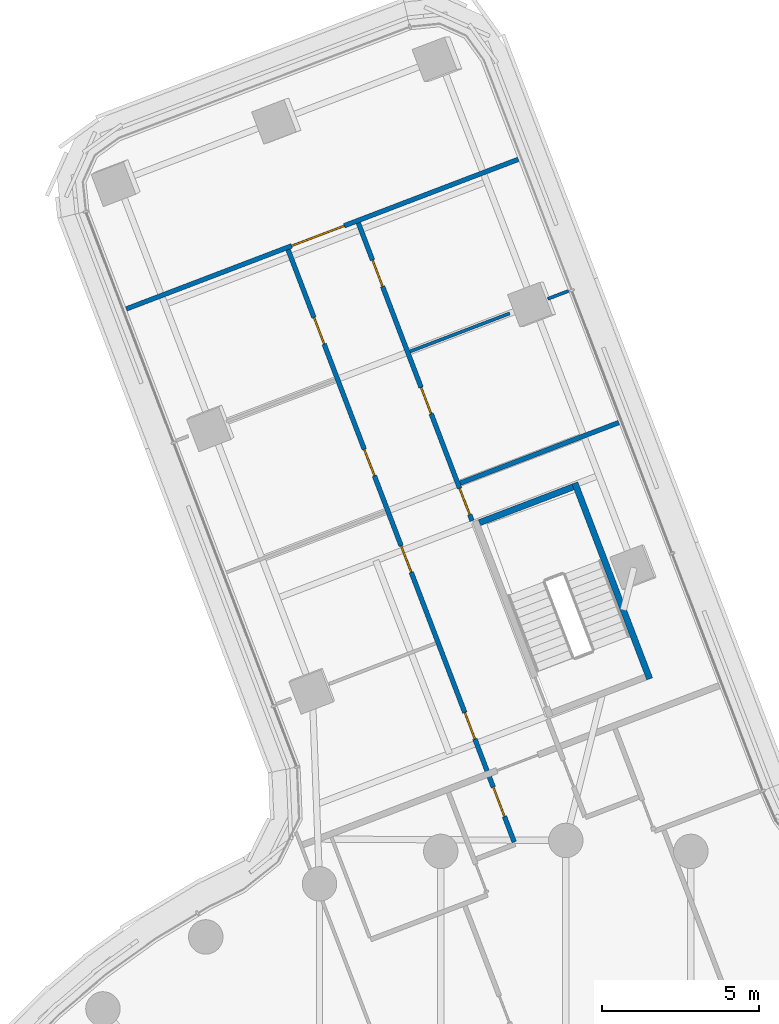
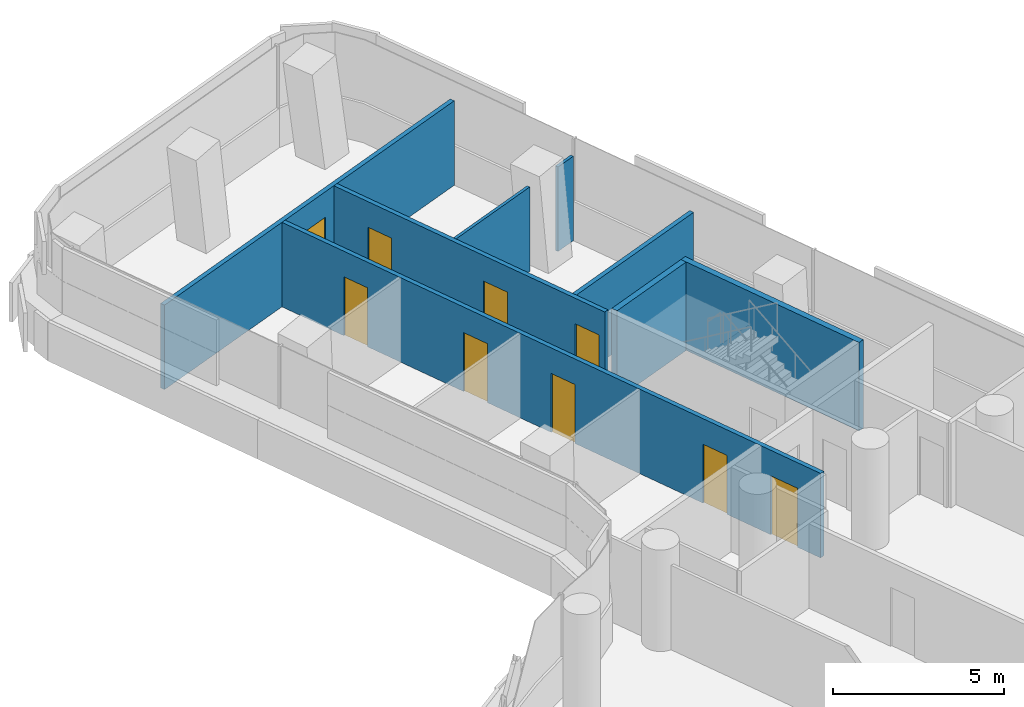
# One storey, part 24 of 32: 9 doors, 8 walls, 9 openings.
"""IFC4 building model written with IfcOpenShell, lengths in metres."""

from ifc_helpers import new_model, si_unit, direction, frame, frame_2d, origin, place, context, subcontext, project, spatial, polyline, rectangle, outline, extrude, material, layer, layer_set, type_object, element, fill, save


model = new_model("IFC4")

# Units and contexts
model_context = context("Model", 3, precision=1e-05, world=origin(), true_north=direction((0.0, 1.0)))
body_context = subcontext(model_context, "Body", "Model", "MODEL_VIEW")
ifc_project = project(units=[si_unit("LENGTHUNIT", "METRE"), si_unit("AREAUNIT", "SQUARE_METRE"), si_unit("VOLUMEUNIT", "CUBIC_METRE"), si_unit("PLANEANGLEUNIT", "RADIAN"), si_unit("MASSUNIT", "GRAM", prefix="KILO")], contexts=[model_context])

# Site, building, storey
site_placement = place(None, origin())
site = spatial("IfcSite", under=ifc_project, at=site_placement, CompositionType="ELEMENT")
building_placement = place(site_placement, origin())
building = spatial("IfcBuilding", under=site, at=building_placement, Name="Tamarind Cross Interchange Tower", CompositionType="ELEMENT")
storey_placement = place(building_placement, frame((0.0, 0.0, 109.75)))
storey = spatial("IfcBuildingStorey", under=building, at=storey_placement, Name="L26", CompositionType="ELEMENT", Elevation=109.75)

# Walls
ifc_material_1 = material(Name="Gypsum board partition on steel studs", Category="steel")
ifc_layer_1 = layer(ifc_material_1, 0.10009765625)
ifc_layer_set_1 = layer_set([ifc_layer_1], Name="Gypsum board partition on steel studs")
wall_type_1 = type_object("IfcWallType", Name="Partition 100 mm EI 90", PredefinedType="PARTITIONING", material=ifc_layer_set_1)
wall_1_placement = place(storey_placement, frame((-4.97900390625, 38.616943359375, 0.0), z_axis=(0.0, 0.0, 1.0), x_axis=(0.934230094986, 0.356670898201, 0.0)))
element("IfcWall", 1, at=wall_1_placement, inside=storey, type_object=wall_type_1, Name="Partition L26-050", PredefinedType="PARTITIONING", context=body_context, shape_type="SweptSolid", body=[
    extrude(rectangle(XDim=3.410888671875, YDim=0.10009765625, at=frame_2d((1.70556640625, 0.0))), origin(), (0.0, 0.0, 1.0), 3.010009765625),
])
wall_2_placement = place(storey_placement, frame((-0.576904296875, 40.297607421875, 0.0), z_axis=(0.0, 0.0, 1.0), x_axis=(0.93429736049, 0.356494659401, 0.0)))
element("IfcWall", 2, at=wall_2_placement, inside=storey, type_object=wall_type_1, Name="Partition L26-051", PredefinedType="PARTITIONING", context=body_context, shape_type="SweptSolid", body=[
    extrude(rectangle(XDim=0.71142578125, YDim=0.10009765625, at=frame_2d((0.355712890625, 0.0))), origin(), (0.0, 0.0, 1.0), 3.010009765625),
])

# Wall, openings, doors
ifc_layer_2 = layer(ifc_material_1, 0.14990234375)
ifc_layer_set_2 = layer_set([ifc_layer_2], Name="Gypsum board partition on steel studs")
wall_type_2 = type_object("IfcWallType", Name="Partition 150 mm EI 120", PredefinedType="PARTITIONING", material=ifc_layer_set_2)
wall_3_placement = place(storey_placement, frame((-8.8701171875, 41.867919921875, 0.0), z_axis=(0.0, 0.0, 1.0), x_axis=(0.356662537026, -0.934233287077, 0.0)))
wall_3 = element("IfcWall", 3, at=wall_3_placement, inside=storey, type_object=wall_type_2, Name="Partition L26-008", PredefinedType="PARTITIONING", context=body_context, shape_type="SweptSolid", body=[
    extrude(rectangle(XDim=20.25, YDim=0.14990234375, at=frame_2d((10.125, 0.0))), origin(), (0.0, 0.0, 1.0), 3.010009765625),
])
opening_1_placement = place(wall_3_placement, frame((18.375244140625, 0.0, 0.0)))
opening_1 = element("IfcOpeningElement", 4, at=opening_1_placement, cuts=wall_3, Name="Opening D03", PredefinedType="OPENING", context=body_context, shape_type="SweptSolid", body=[
    extrude(rectangle(XDim=1.0, YDim=2.10009765625, at=frame_2d((0.5, 1.050048828125))), frame((0.0, 0.0849609375, 0.0), z_axis=(0.0, -1.0, 0.0), x_axis=(1.0, 0.0, 0.0)), (0.0, 0.0, 1.0), 0.169921875),
])
opening_2_placement = place(wall_3_placement, frame((15.8251953125, 0.0, 0.0)))
opening_2 = element("IfcOpeningElement", 5, at=opening_2_placement, cuts=wall_3, Name="Opening D04", PredefinedType="OPENING", context=body_context, shape_type="SweptSolid", body=[
    extrude(rectangle(XDim=0.89990234375, YDim=2.10009765625, at=frame_2d((0.449951171875, 1.050048828125))), frame((0.0, 0.0849609375, 0.0), z_axis=(0.0, -1.0, 0.0), x_axis=(1.0, 0.0, 0.0)), (0.0, 0.0, 1.0), 0.169921875),
])
opening_3_placement = place(wall_3_placement, frame((10.125244140625, 0.0, 0.0)))
opening_3 = element("IfcOpeningElement", 6, at=opening_3_placement, cuts=wall_3, Name="Opening D05", PredefinedType="OPENING", context=body_context, shape_type="SweptSolid", body=[
    extrude(rectangle(XDim=0.89990234375, YDim=2.10009765625, at=frame_2d((0.449951171875, 1.050048828125))), frame((0.0, 0.0849609375, 0.0), z_axis=(0.0, -1.0, 0.0), x_axis=(1.0, 0.0, 0.0)), (0.0, 0.0, 1.0), 0.169921875),
])
opening_4_placement = place(wall_3_placement, frame((6.824951171875, 0.0, 0.0)))
opening_4 = element("IfcOpeningElement", 7, at=opening_4_placement, cuts=wall_3, Name="Opening D06", PredefinedType="OPENING", context=body_context, shape_type="SweptSolid", body=[
    extrude(rectangle(XDim=0.89990234375, YDim=2.10009765625, at=frame_2d((0.449951171875, 1.050048828125))), frame((0.0, 0.0849609375, 0.0), z_axis=(0.0, -1.0, 0.0), x_axis=(1.0, 0.0, 0.0)), (0.0, 0.0, 1.0), 0.169921875),
])
opening_5_placement = place(wall_3_placement, frame((2.324951171875, 0.0, 0.0)))
opening_5 = element("IfcOpeningElement", 8, at=opening_5_placement, cuts=wall_3, Name="Opening D07", PredefinedType="OPENING", context=body_context, shape_type="SweptSolid", body=[
    extrude(rectangle(XDim=0.89990234375, YDim=2.10009765625, at=frame_2d((0.449951171875, 1.050048828125))), frame((0.0, 0.0849609375, 0.0), z_axis=(0.0, -1.0, 0.0), x_axis=(1.0, 0.0, 0.0)), (0.0, 0.0, 1.0), 0.169921875),
])
ifc_material_2 = material(Name="Fire-resisting door set")
door_type_1 = type_object("IfcDoorType", Name="Interior door 1000 x 2100 FD60S", OperationType="SINGLE_SWING_LEFT", PredefinedType="DOOR", material=ifc_material_2)
door_1_placement = place(opening_1_placement, frame((1.0, 0.0, 0.0), z_axis=(0.0, 0.0, 1.0), x_axis=(-1.0, 0.0, 0.0)))
door_1 = element("IfcDoor", 9, at=door_1_placement, inside=storey, type_object=door_type_1, Name="Door D03", OperationType="SINGLE_SWING_RIGHT", OverallHeight=2.10009765625, OverallWidth=1.0, PredefinedType="DOOR", context=body_context, shape_type="SweptSolid", body=[
    extrude(rectangle(XDim=1.0, YDim=2.10009765625, at=frame_2d((0.5, 1.050048828125))), frame((0.0, 0.02490234375, 0.0), z_axis=(0.0, -1.0, 0.0), x_axis=(1.0, 0.0, 0.0)), (0.0, 0.0, 1.0), 0.050048828125),
])
fill(opening_1, door_1)
door_type_2 = type_object("IfcDoorType", Name="Interior door 900 x 2100 FD60S", OperationType="SINGLE_SWING_LEFT", PredefinedType="DOOR", material=ifc_material_2)
door_2_placement = place(opening_2_placement, frame((0.89990234375, 0.0, 0.0), z_axis=(0.0, 0.0, 1.0), x_axis=(-1.0, 0.0, 0.0)))
door_2 = element("IfcDoor", 10, at=door_2_placement, inside=storey, type_object=door_type_2, Name="Door D04", OperationType="SINGLE_SWING_RIGHT", OverallHeight=2.10009765625, OverallWidth=0.89990234375, PredefinedType="DOOR", context=body_context, shape_type="SweptSolid", body=[
    extrude(rectangle(XDim=0.89990234375, YDim=2.10009765625, at=frame_2d((0.449951171875, 1.050048828125))), frame((0.0, 0.02490234375, 0.0), z_axis=(0.0, -1.0, 0.0), x_axis=(1.0, 0.0, 0.0)), (0.0, 0.0, 1.0), 0.050048828125),
])
fill(opening_2, door_2)
door_3_placement = place(opening_3_placement, frame((0.89990234375, 0.0, 0.0), z_axis=(0.0, 0.0, 1.0), x_axis=(-1.0, 0.0, 0.0)))
door_3 = element("IfcDoor", 11, at=door_3_placement, inside=storey, type_object=door_type_2, Name="Door D05", OperationType="SINGLE_SWING_RIGHT", OverallHeight=2.10009765625, OverallWidth=0.89990234375, PredefinedType="DOOR", context=body_context, shape_type="SweptSolid", body=[
    extrude(rectangle(XDim=0.89990234375, YDim=2.10009765625, at=frame_2d((0.449951171875, 1.050048828125))), frame((0.0, 0.02490234375, 0.0), z_axis=(0.0, -1.0, 0.0), x_axis=(1.0, 0.0, 0.0)), (0.0, 0.0, 1.0), 0.050048828125),
])
fill(opening_3, door_3)
door_4_placement = place(opening_4_placement, frame((0.89990234375, 0.0, 0.0), z_axis=(0.0, 0.0, 1.0), x_axis=(-1.0, 0.0, 0.0)))
door_4 = element("IfcDoor", 12, at=door_4_placement, inside=storey, type_object=door_type_2, Name="Door D06", OperationType="SINGLE_SWING_LEFT", OverallHeight=2.10009765625, OverallWidth=0.89990234375, PredefinedType="DOOR", context=body_context, shape_type="SweptSolid", body=[
    extrude(rectangle(XDim=0.89990234375, YDim=2.10009765625, at=frame_2d((0.449951171875, 1.050048828125))), frame((0.0, 0.02490234375, 0.0), z_axis=(0.0, -1.0, 0.0), x_axis=(1.0, 0.0, 0.0)), (0.0, 0.0, 1.0), 0.050048828125),
])
fill(opening_4, door_4)
door_5_placement = place(opening_5_placement, frame((0.89990234375, 0.0, 0.0), z_axis=(0.0, 0.0, 1.0), x_axis=(-1.0, 0.0, 0.0)))
door_5 = element("IfcDoor", 13, at=door_5_placement, inside=storey, type_object=door_type_2, Name="Door D07", OperationType="SINGLE_SWING_LEFT", OverallHeight=2.10009765625, OverallWidth=0.89990234375, PredefinedType="DOOR", context=body_context, shape_type="SweptSolid", body=[
    extrude(rectangle(XDim=0.89990234375, YDim=2.10009765625, at=frame_2d((0.449951171875, 1.050048828125))), frame((0.0, 0.02490234375, 0.0), z_axis=(0.0, -1.0, 0.0), x_axis=(1.0, 0.0, 0.0)), (0.0, 0.0, 1.0), 0.050048828125),
])
fill(opening_5, door_5)

wall_4_placement = place(storey_placement, frame((-6.627197265625, 42.723876953125, 0.0), z_axis=(0.0, 0.0, 1.0), x_axis=(0.35667303803, -0.934229278038, 0.0)))
wall_4 = element("IfcWall", 14, at=wall_4_placement, inside=storey, type_object=wall_type_2, Name="Partition L26-013", PredefinedType="PARTITIONING", context=body_context, shape_type="SweptSolid", body=[
    extrude(rectangle(XDim=10.185302734375, YDim=0.14990234375, at=frame_2d((5.0927734375, 0.0))), origin(), (0.0, 0.0, 1.0), 3.010009765625),
])
opening_6_placement = place(wall_4_placement, frame((5.625, 0.0, 0.0)))
opening_6 = element("IfcOpeningElement", 15, at=opening_6_placement, cuts=wall_4, Name="Opening D09", PredefinedType="OPENING", context=body_context, shape_type="SweptSolid", body=[
    extrude(rectangle(XDim=0.89990234375, YDim=2.10009765625, at=frame_2d((0.449951171875, 1.050048828125))), frame((0.0, 0.0849609375, 0.0), z_axis=(0.0, -1.0, 0.0), x_axis=(1.0, 0.0, 0.0)), (0.0, 0.0, 1.0), 0.169921875),
])
opening_7_placement = place(wall_4_placement, frame((1.27490234375, 0.0, 0.0)))
opening_7 = element("IfcOpeningElement", 16, at=opening_7_placement, cuts=wall_4, Name="Opening D10", PredefinedType="OPENING", context=body_context, shape_type="SweptSolid", body=[
    extrude(rectangle(XDim=0.89990234375, YDim=2.10009765625, at=frame_2d((0.449951171875, 1.050048828125))), frame((0.0, 0.0849609375, 0.0), z_axis=(0.0, -1.0, 0.0), x_axis=(1.0, 0.0, 0.0)), (0.0, 0.0, 1.0), 0.169921875),
])
opening_8_placement = place(wall_4_placement, frame((9.074951171875, 0.0, 0.0)))
opening_8 = element("IfcOpeningElement", 17, at=opening_8_placement, cuts=wall_4, Name="Opening D11", PredefinedType="OPENING", context=body_context, shape_type="SweptSolid", body=[
    extrude(rectangle(XDim=0.89990234375, YDim=2.10009765625, at=frame_2d((0.449951171875, 1.050048828125))), frame((0.0, 0.0849609375, 0.0), z_axis=(0.0, -1.0, 0.0), x_axis=(1.0, 0.0, 0.0)), (0.0, 0.0, 1.0), 0.169921875),
])
door_6_placement = place(opening_6_placement, origin())
door_6 = element("IfcDoor", 18, at=door_6_placement, inside=storey, type_object=door_type_2, Name="Door D09", OperationType="SINGLE_SWING_LEFT", OverallHeight=2.10009765625, OverallWidth=0.89990234375, PredefinedType="DOOR", context=body_context, shape_type="SweptSolid", body=[
    extrude(rectangle(XDim=0.89990234375, YDim=2.10009765625, at=frame_2d((0.449951171875, 1.050048828125))), frame((0.0, 0.02490234375, 0.0), z_axis=(0.0, -1.0, 0.0), x_axis=(1.0, 0.0, 0.0)), (0.0, 0.0, 1.0), 0.050048828125),
])
fill(opening_6, door_6)
door_7_placement = place(opening_7_placement, origin())
door_7 = element("IfcDoor", 19, at=door_7_placement, inside=storey, type_object=door_type_2, Name="Door D10", OperationType="SINGLE_SWING_RIGHT", OverallHeight=2.10009765625, OverallWidth=0.89990234375, PredefinedType="DOOR", context=body_context, shape_type="SweptSolid", body=[
    extrude(rectangle(XDim=0.89990234375, YDim=2.10009765625, at=frame_2d((0.449951171875, 1.050048828125))), frame((0.0, 0.02490234375, 0.0), z_axis=(0.0, -1.0, 0.0), x_axis=(1.0, 0.0, 0.0)), (0.0, 0.0, 1.0), 0.050048828125),
])
fill(opening_7, door_7)
door_8_placement = place(opening_8_placement, origin())
door_8 = element("IfcDoor", 20, at=door_8_placement, inside=storey, type_object=door_type_2, Name="Door D11", OperationType="SINGLE_SWING_LEFT", OverallHeight=2.10009765625, OverallWidth=0.89990234375, PredefinedType="DOOR", context=body_context, shape_type="SweptSolid", body=[
    extrude(rectangle(XDim=0.89990234375, YDim=2.10009765625, at=frame_2d((0.449951171875, 1.050048828125))), frame((0.0, 0.02490234375, 0.0), z_axis=(0.0, -1.0, 0.0), x_axis=(1.0, 0.0, 0.0)), (0.0, 0.0, 1.0), 0.050048828125),
])
fill(opening_8, door_8)

# Wall, opening, door
wall_5_placement = place(storey_placement, frame((-14.0390625, 39.975341796875, 0.0), z_axis=(0.0, 0.0, 1.0), x_axis=(0.934259875751, 0.356592883499, 0.0)))
wall_5 = element("IfcWall", 21, at=wall_5_placement, inside=storey, type_object=wall_type_2, Name="Partition L26-047", PredefinedType="PARTITIONING", context=body_context, shape_type="SweptSolid", body=[
    extrude(rectangle(XDim=13.4033203125, YDim=0.14990234375, at=frame_2d((6.70166015625, 0.0))), origin(), (0.0, 0.0, 1.0), 3.010009765625),
])
opening_9_placement = place(wall_5_placement, frame((5.65380859375, 0.0, 0.0)))
opening_9 = element("IfcOpeningElement", 22, at=opening_9_placement, cuts=wall_5, Name="Opening D33", PredefinedType="OPENING", context=body_context, shape_type="SweptSolid", body=[
    extrude(rectangle(XDim=1.800048828125, YDim=2.10009765625, at=frame_2d((0.89990234375, 1.050048828125))), frame((0.0, 0.0849609375, 0.0), z_axis=(0.0, -1.0, 0.0), x_axis=(1.0, 0.0, 0.0)), (0.0, 0.0, 1.0), 0.169921875),
])
door_type_3 = type_object("IfcDoorType", Name="Interior door 1800 x 2100 FD60S", OperationType="DOUBLE_DOOR_SINGLE_SWING", PredefinedType="DOOR", material=ifc_material_2)
door_9_placement = place(opening_9_placement, origin())
door_9 = element("IfcDoor", 23, at=door_9_placement, inside=storey, type_object=door_type_3, Name="Door D33", OperationType="DOUBLE_DOOR_SINGLE_SWING", OverallHeight=2.10009765625, OverallWidth=1.800048828125, PredefinedType="DOOR", context=body_context, shape_type="SweptSolid", body=[
    extrude(rectangle(XDim=1.800048828125, YDim=2.10009765625, at=frame_2d((0.89990234375, 1.050048828125))), frame((0.0, 0.02490234375, 0.0), z_axis=(0.0, -1.0, 0.0), x_axis=(1.0, 0.0, 0.0)), (0.0, 0.0, 1.0), 0.050048828125),
])
fill(opening_9, door_9)

# Walls
wall_6_placement = place(storey_placement, frame((-3.373779296875, 34.412841796875, 0.0), z_axis=(0.0, 0.0, 1.0), x_axis=(0.9342222044, 0.356691565369, 0.0)))
element("IfcWall", 24, at=wall_6_placement, inside=storey, type_object=wall_type_2, Name="Partition L26-053", PredefinedType="PARTITIONING", context=body_context, shape_type="SweptSolid", body=[
    extrude(rectangle(XDim=5.423583984375, YDim=0.14990234375, at=frame_2d((2.7119140625, 0.0))), origin(), (0.0, 0.0, 1.0), 3.010009765625),
])
ifc_material_3 = material(Name="Concrete C40", Category="concrete")
ifc_layer_3 = layer(ifc_material_3, 0.199951171875)
ifc_layer_set_3 = layer_set([ifc_layer_3], Name="Concrete C40")
wall_type_3 = type_object("IfcWallType", Name="Stair shaft wall 200 mm Concrete C40", PredefinedType="SHEAR", material=ifc_layer_set_3)
wall_7_placement = place(storey_placement, frame((2.6787109375, 28.16064453125, -0.139892578125), z_axis=(0.0, 0.0, 1.0), x_axis=(-0.356668027774, 0.934231190854, 0.0)))
element("IfcWall", 25, at=wall_7_placement, inside=storey, type_object=wall_type_3, Name="Core wall CWL-L26-ST4-C", PredefinedType="SHEAR", context=body_context, shape_type="SweptSolid", body=[
    extrude(rectangle(XDim=6.699951171875, YDim=0.199951171875, at=frame_2d((3.35009765625, 0.0))), origin(), (0.0, 0.0, 1.0), 3.14990234375),
])
wall_8_placement = place(storey_placement, frame((0.0, 0.0, -0.139892578125)))
element("IfcWall", 26, at=wall_8_placement, inside=storey, type_object=wall_type_3, Name="Core wall CWL-L26-ST4-CF", PredefinedType="SHEAR", context=body_context, shape_type="SweptSolid", body=[
    extrude(outline(polyline([(0.26708984375, 34.197509765625), (0.19580078125, 34.38427734375), (-2.793701171875, 33.242919921875), (-2.722412109375, 33.05615234375), (0.26708984375, 34.197509765625)])), origin(), (0.0, 0.0, 1.0), 3.14990234375),
])

save(model, "model.ifc")
